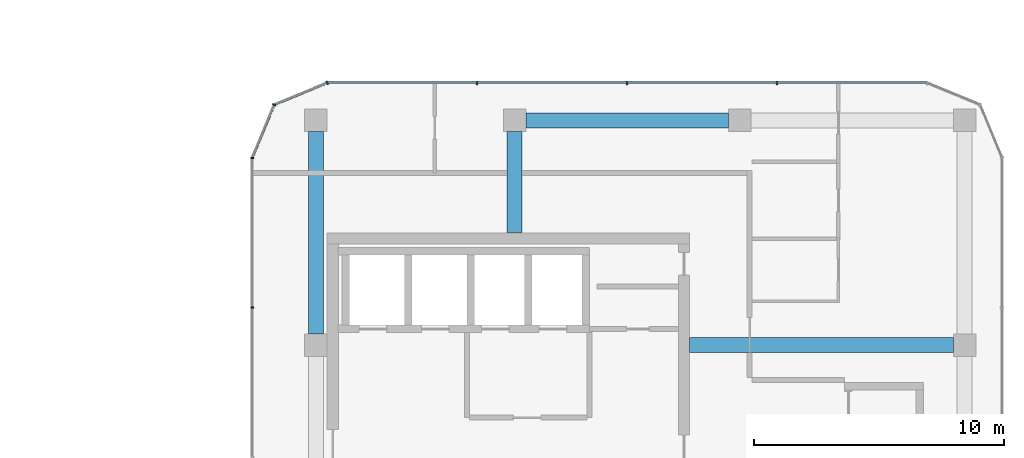
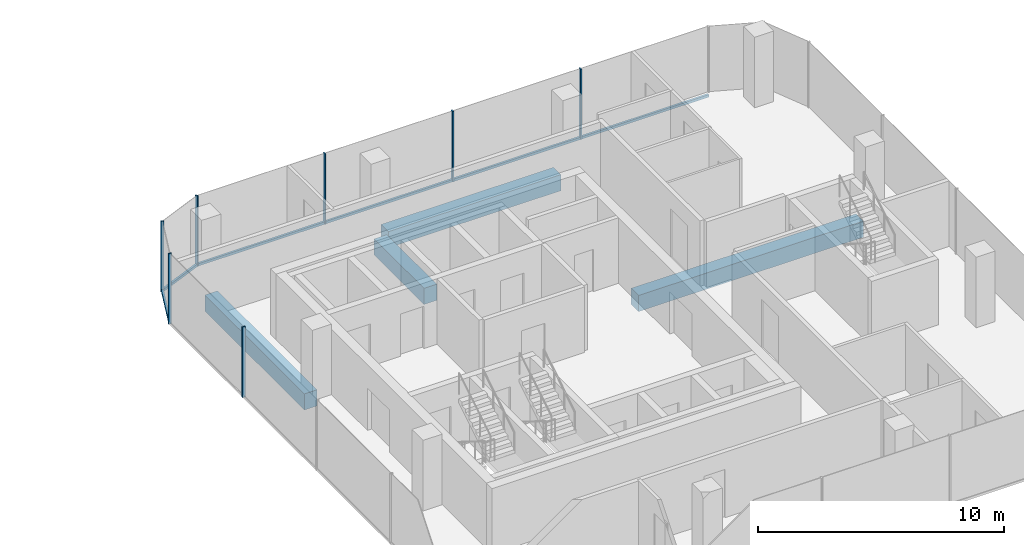
# One storey, part 9 of 23: 10 members, 4 beams, 4 elements without a shape of their own.
"""IFC4 building model written with IfcOpenShell, lengths in metres."""

from ifc_helpers import new_model, si_unit, direction, frame, origin, origin_2d, place, context, subcontext, project, spatial, rectangle, extrude, material, layer, layer_set, material_profile, profile_set, type_object, element, aggregate, save


model = new_model("IFC4")

# Units and contexts
model_context = context("Model", 3, precision=1e-05, world=origin(), true_north=direction((0.0, 1.0)))
body_context = subcontext(model_context, "Body", "Model", "MODEL_VIEW")
ifc_project = project(units=[si_unit("LENGTHUNIT", "METRE"), si_unit("AREAUNIT", "SQUARE_METRE"), si_unit("VOLUMEUNIT", "CUBIC_METRE"), si_unit("PLANEANGLEUNIT", "RADIAN"), si_unit("MASSUNIT", "GRAM", prefix="KILO")], contexts=[model_context])

# Site, building, storey
site_placement = place(None, origin())
site = spatial("IfcSite", under=ifc_project, at=site_placement, CompositionType="ELEMENT")
building_placement = place(site_placement, origin())
building = spatial("IfcBuilding", under=site, at=building_placement, Name="Plateau Cross Towers", CompositionType="ELEMENT")
storey_placement = place(building_placement, frame((0.0, 0.0, 88.800048828125)))
storey = spatial("IfcBuildingStorey", under=building, at=storey_placement, Name="L22", CompositionType="ELEMENT", Elevation=88.800048828125)

# Beams
ifc_material_1 = material(Name="Concrete C60/75", Category="concrete")
ifc_material_profile_1 = material_profile(ifc_material_1, rectangle(XDim=0.60009765625, YDim=0.800048828125, at=origin_2d()), Name="RC 600x800")
ifc_profile_set_1 = profile_set([ifc_material_profile_1], Name="Concrete C60/75")
beam_type_1 = type_object("IfcBeamType", Name="Core beam RC 600x800", PredefinedType="BEAM", material=ifc_profile_set_1)
beam_1_placement = place(storey_placement, frame((89.5, 13.5, -0.650146484375), z_axis=(1.0, 0.0, 0.0), x_axis=(0.0, 1.0, 0.0)))
element("IfcBeam", 1, at=beam_1_placement, inside=storey, type_object=beam_type_1, Name="B-CB03@L22", PredefinedType="BEAM", context=body_context, shape_type="SweptSolid", body=[
    extrude(rectangle(XDim=0.60009765625, YDim=0.800048828125, at=origin_2d()), origin(), (0.0, 0.0, 1.0), 10.550048828125),
])
beam_2_placement = place(storey_placement, frame((82.5, 18.0, -0.650146484375), z_axis=(0.0, 1.0, 0.0), x_axis=(-1.0, 0.0, 0.0)))
element("IfcBeam", 2, at=beam_2_placement, inside=storey, type_object=beam_type_1, Name="B-CB04@L22", PredefinedType="BEAM", context=body_context, shape_type="SweptSolid", body=[
    extrude(rectangle(XDim=0.60009765625, YDim=0.800048828125, at=origin_2d()), origin(), (0.0, 0.0, 1.0), 4.050048828125),
])

# Curtain wall, members
ifc_material_2 = material(Name="Dark low-iron glass", Category="glass")
ifc_layer = layer(ifc_material_2, 0.239990234375)
ifc_layer_set = layer_set([ifc_layer], Name="Dark low-iron glass")
curtain_wall_type = type_object("IfcCurtainWallType", Name="Curtain wall office unitised CW-F", PredefinedType="NOTDEFINED", material=ifc_layer_set)
curtain_wall_1_placement = place(storey_placement, origin())
curtain_wall_1 = element("IfcCurtainWall", 3, at=curtain_wall_1_placement, inside=storey, type_object=curtain_wall_type, Name="ENV/B/L22/B990_240", PredefinedType="NOTDEFINED")
ifc_material_3 = material(Name="Black anodised aluminium", Category="aluminium")
ifc_material_profile_2 = material_profile(ifc_material_3, rectangle(XDim=0.06005859375, YDim=0.139892578125, at=origin_2d()), Name="MULLION 60x140")
ifc_profile_set_2 = profile_set([ifc_material_profile_2], Name="Black anodised aluminium")
member_type_1 = type_object("IfcMemberType", Name="Mullion 60x140 office unitised", PredefinedType="MULLION", material=ifc_profile_set_2)
member_1_placement = place(storey_placement, frame((93.0, 24.0, -0.25), z_axis=(0.0, 0.0, 1.0), x_axis=(-1.0, 0.0, 0.0)))
member_1 = element("IfcMember", 4, at=member_1_placement, type_object=member_type_1, Name="CW-F mullion 2", PredefinedType="MULLION", context=body_context, shape_type="SweptSolid", body=[
    extrude(rectangle(XDim=0.06005859375, YDim=0.139892578125, at=origin_2d()), origin(), (0.0, 0.0, 1.0), 3.5),
])
member_2_placement = place(storey_placement, frame((87.0, 24.0, -0.25), z_axis=(0.0, 0.0, 1.0), x_axis=(-1.0, 0.0, 0.0)))
member_2 = element("IfcMember", 5, at=member_2_placement, type_object=member_type_1, Name="CW-F mullion 3", PredefinedType="MULLION", context=body_context, shape_type="SweptSolid", body=[
    extrude(rectangle(XDim=0.06005859375, YDim=0.139892578125, at=origin_2d()), origin(), (0.0, 0.0, 1.0), 3.5),
])
member_3_placement = place(storey_placement, frame((81.0, 24.0, -0.25), z_axis=(0.0, 0.0, 1.0), x_axis=(-1.0, 0.0, 0.0)))
member_3 = element("IfcMember", 6, at=member_3_placement, type_object=member_type_1, Name="CW-F mullion 4", PredefinedType="MULLION", context=body_context, shape_type="SweptSolid", body=[
    extrude(rectangle(XDim=0.06005859375, YDim=0.139892578125, at=origin_2d()), origin(), (0.0, 0.0, 1.0), 3.5),
])

# Curtain wall, member
curtain_wall_2_placement = place(storey_placement, origin())
curtain_wall_2 = element("IfcCurtainWall", 7, at=curtain_wall_2_placement, inside=storey, type_object=curtain_wall_type, Name="ENV/B/L22/B750_240", PredefinedType="NOTDEFINED")
member_4_placement = place(storey_placement, frame((75.0, 24.0, -0.25), z_axis=(0.0, 0.0, 1.0), x_axis=(-0.923879457699, -0.382683612978, 0.0)))
member_4 = element("IfcMember", 8, at=member_4_placement, type_object=member_type_1, Name="CW-F mullion 1", PredefinedType="MULLION", context=body_context, shape_type="SweptSolid", body=[
    extrude(rectangle(XDim=0.06005859375, YDim=0.139892578125, at=origin_2d()), origin(), (0.0, 0.0, 1.0), 3.5),
])

curtain_wall_3_placement = place(storey_placement, origin())
curtain_wall_3 = element("IfcCurtainWall", 9, at=curtain_wall_3_placement, inside=storey, type_object=curtain_wall_type, Name="ENV/B/L22/B729_231", PredefinedType="NOTDEFINED")
member_5_placement = place(storey_placement, frame((72.878662109375, 23.121337890625, -0.25), z_axis=(0.0, 0.0, 1.0), x_axis=(-0.382683612978, -0.923879457699, 0.0)))
member_5 = element("IfcMember", 10, at=member_5_placement, type_object=member_type_1, Name="CW-F mullion 1", PredefinedType="MULLION", context=body_context, shape_type="SweptSolid", body=[
    extrude(rectangle(XDim=0.06005859375, YDim=0.139892578125, at=origin_2d()), origin(), (0.0, 0.0, 1.0), 3.5),
])

# Curtain wall, members
curtain_wall_4_placement = place(storey_placement, origin())
curtain_wall_4 = element("IfcCurtainWall", 11, at=curtain_wall_4_placement, inside=storey, type_object=curtain_wall_type, Name="ENV/B/L22/B720_210", PredefinedType="NOTDEFINED")
member_6_placement = place(storey_placement, frame((72.0, 21.0, -0.25), z_axis=(0.0, 0.0, 1.0), x_axis=(0.0, -1.0, 0.0)))
member_6 = element("IfcMember", 12, at=member_6_placement, type_object=member_type_1, Name="CW-F mullion 1", PredefinedType="MULLION", context=body_context, shape_type="SweptSolid", body=[
    extrude(rectangle(XDim=0.06005859375, YDim=0.139892578125, at=origin_2d()), origin(), (0.0, 0.0, 1.0), 3.5),
])
member_7_placement = place(storey_placement, frame((72.0, 15.0, -0.25), z_axis=(0.0, 0.0, 1.0), x_axis=(0.0, -1.0, 0.0)))
member_7 = element("IfcMember", 13, at=member_7_placement, type_object=member_type_1, Name="CW-F mullion 2", PredefinedType="MULLION", context=body_context, shape_type="SweptSolid", body=[
    extrude(rectangle(XDim=0.06005859375, YDim=0.139892578125, at=origin_2d()), origin(), (0.0, 0.0, 1.0), 3.5),
])
aggregate(curtain_wall_4, [member_6, member_7])

# Beams
ifc_material_profile_3 = material_profile(ifc_material_1, rectangle(XDim=0.60009765625, YDim=0.800048828125, at=origin_2d()), Name="RC 600x800")
ifc_profile_set_3 = profile_set([ifc_material_profile_3], Name="Concrete C60/75")
beam_type_2 = type_object("IfcBeamType", Name="Ring beam RC 600x800", PredefinedType="BEAM", material=ifc_profile_set_3)
for number, where, z_axis, x_axis, name in (
    (14, (91.050048828125, 22.5, -0.650146484375), (-1.0, 0.0, 0.0), (0.0, -1.0, 0.0), "B-RB07@L22"),
    (15, (74.550048828125, 22.050048828125, -0.650146484375), (0.0, -1.0, 0.0), (1.0, 0.0, 0.0), "B-RB08@L22"),
):
    element("IfcBeam", number, at=place(storey_placement, frame(where, z_axis=z_axis, x_axis=x_axis)), inside=storey, type_object=beam_type_2, Name=name, PredefinedType="BEAM", context=body_context, shape_type="SweptSolid", body=[
        extrude(rectangle(XDim=0.60009765625, YDim=0.800048828125, at=origin_2d()), origin(), (0.0, 0.0, 1.0), 8.10009765625),
    ])

# Member
ifc_material_profile_4 = material_profile(ifc_material_3, rectangle(XDim=0.10009765625, YDim=0.1201171875, at=origin_2d()), Name="TRANSOM 100x120")
ifc_profile_set_4 = profile_set([ifc_material_profile_4], Name="Black anodised aluminium")
member_type_2 = type_object("IfcMemberType", Name="Transom 100x120 office unitised", PredefinedType="USERDEFINED", material=ifc_profile_set_4)
member_8_placement = place(storey_placement, frame((99.0, 24.0, -0.18994140625), z_axis=(-1.0, 0.0, 0.0), x_axis=(0.0, -1.0, 0.0)))
member_8 = element("IfcMember", 16, at=member_8_placement, type_object=member_type_2, Name="CW-F transom", ObjectType="TRANSOM", PredefinedType="USERDEFINED", context=body_context, shape_type="SweptSolid", body=[
    extrude(rectangle(XDim=0.10009765625, YDim=0.1201171875, at=origin_2d()), origin(), (0.0, 0.0, 1.0), 24.0),
])

aggregate(curtain_wall_1, [member_1, member_2, member_3, member_8])

member_9_placement = place(storey_placement, frame((75.0, 24.0, -0.18994140625), z_axis=(-0.923883353507, -0.382674207535, 0.0), x_axis=(0.382674207535, -0.923883353507, 0.0)))
member_9 = element("IfcMember", 17, at=member_9_placement, type_object=member_type_2, Name="CW-F transom", ObjectType="TRANSOM", PredefinedType="USERDEFINED", context=body_context, shape_type="SweptSolid", body=[
    extrude(rectangle(XDim=0.10009765625, YDim=0.1201171875, at=origin_2d()), origin(), (0.0, 0.0, 1.0), 2.296142578125),
])

aggregate(curtain_wall_2, [member_4, member_9])

member_10_placement = place(storey_placement, frame((72.878662109375, 23.121337890625, -0.18994140625), z_axis=(-0.382674207535, -0.923883353507, 0.0), x_axis=(0.923883353507, -0.382674207535, 0.0)))
member_10 = element("IfcMember", 18, at=member_10_placement, type_object=member_type_2, Name="CW-F transom", ObjectType="TRANSOM", PredefinedType="USERDEFINED", context=body_context, shape_type="SweptSolid", body=[
    extrude(rectangle(XDim=0.10009765625, YDim=0.1201171875, at=origin_2d()), origin(), (0.0, 0.0, 1.0), 2.296142578125),
])

aggregate(curtain_wall_3, [member_5, member_10])

save(model, "model.ifc")
